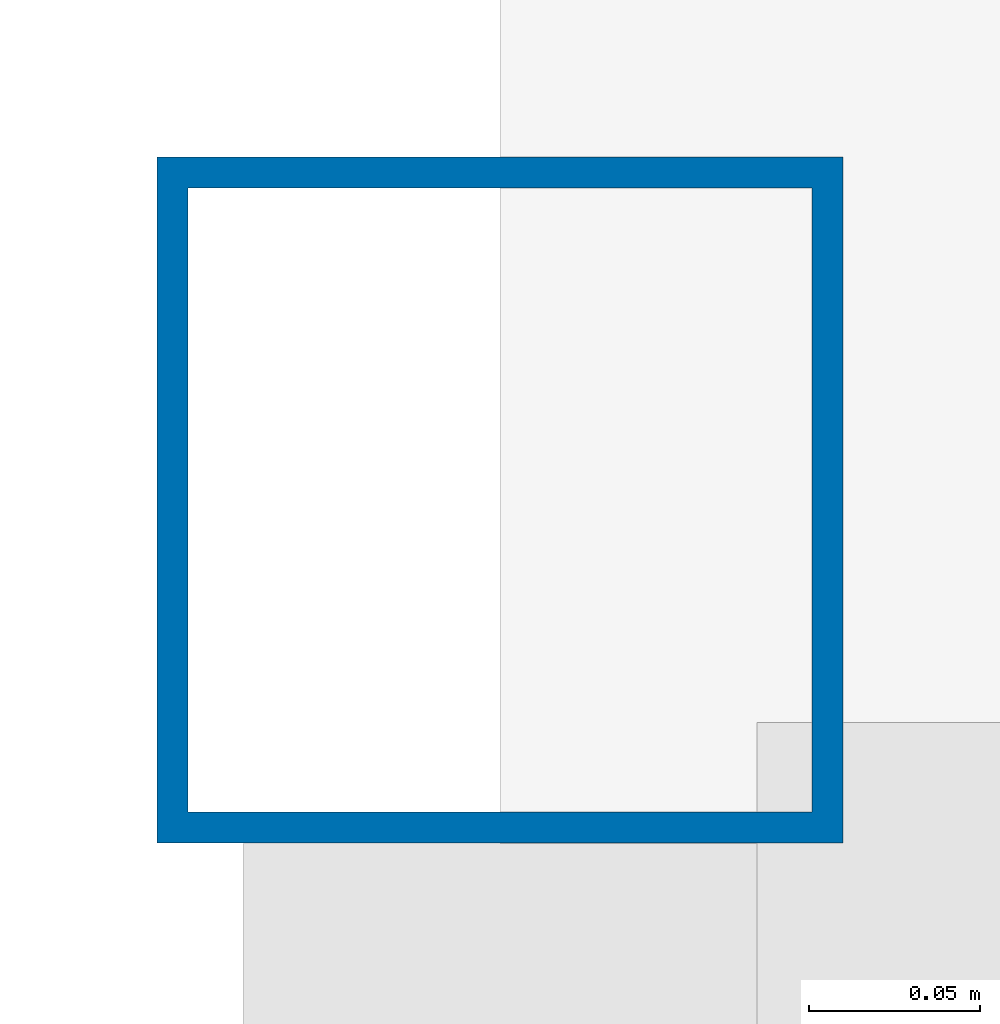
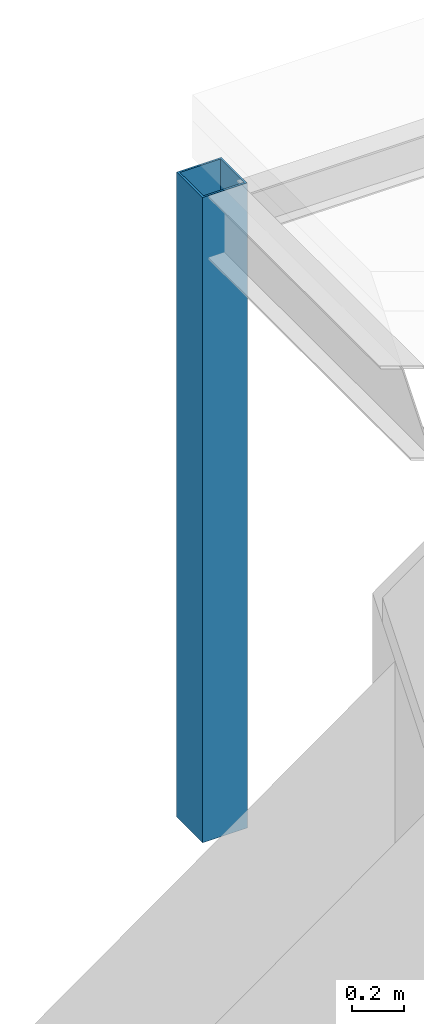
# One storey, part 10 of 112: 1 column.
"""IFC4 building model written with IfcOpenShell, lengths in metres."""

from ifc_helpers import new_model, si_unit, direction, frame, origin, origin_2d, place, context, subcontext, project, spatial, hollow_rectangle, extrude, material, material_profile, profile_set, type_object, element, save


model = new_model("IFC4")

# Units and contexts
model_context = context("Model", 3, precision=1e-05, world=origin(), true_north=direction((0.0, 1.0)))
body_context = subcontext(model_context, "Body", "Model", "MODEL_VIEW")
ifc_project = project(units=[si_unit("LENGTHUNIT", "METRE"), si_unit("AREAUNIT", "SQUARE_METRE"), si_unit("VOLUMEUNIT", "CUBIC_METRE"), si_unit("PLANEANGLEUNIT", "RADIAN"), si_unit("MASSUNIT", "GRAM", prefix="KILO")], contexts=[model_context])

# Site, building, storey
site_placement = place(None, origin())
site = spatial("IfcSite", under=ifc_project, at=site_placement, CompositionType="ELEMENT")
building_placement = place(site_placement, origin())
building = spatial("IfcBuilding", under=site, at=building_placement, Name="Kazanami Central Library", CompositionType="ELEMENT")
storey_placement = place(building_placement, origin())
storey = spatial("IfcBuildingStorey", under=building, at=storey_placement, Name="L01", CompositionType="ELEMENT", Elevation=0.0)

# Column
ifc_material = material(Name="Steel STK490 (315 MPa)", Category="steel")
ifc_material_profile = material_profile(ifc_material, hollow_rectangle(XDim=0.199951171875, YDim=0.199951171875, WallThickness=0.009033203125, at=origin_2d()), Name="STKR-200x200x9")
ifc_profile_set = profile_set([ifc_material_profile], Name="Steel STK490 (315 MPa)")
column_type = type_object("IfcColumnType", Name="COL-CAN-200", PredefinedType="COLUMN", material=ifc_profile_set)
column_placement = place(storey_placement, frame((126.0, 95.800048828125, 0.0), z_axis=(0.0, 0.0, 1.0), x_axis=(1.0, 0.0, 0.0)))
element("IfcColumn", 1, at=column_placement, inside=storey, type_object=column_type, Name="Canopy Post CAN-V2-NORTH X=126", PredefinedType="COLUMN", context=body_context, shape_type="SweptSolid", body=[
    extrude(hollow_rectangle(XDim=0.199951171875, YDim=0.199951171875, WallThickness=0.009033203125, at=origin_2d()), origin(), (0.0, 0.0, 1.0), 3.050048828125),
])

save(model, "model.ifc")
